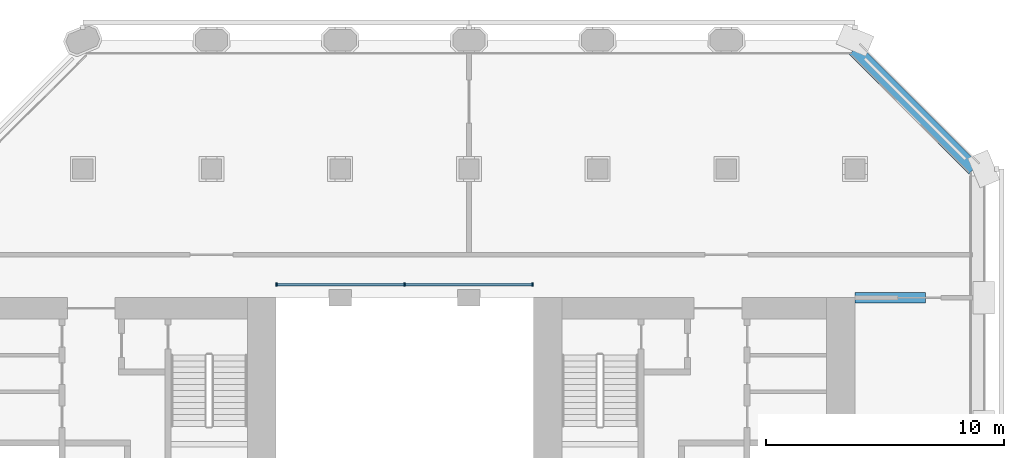
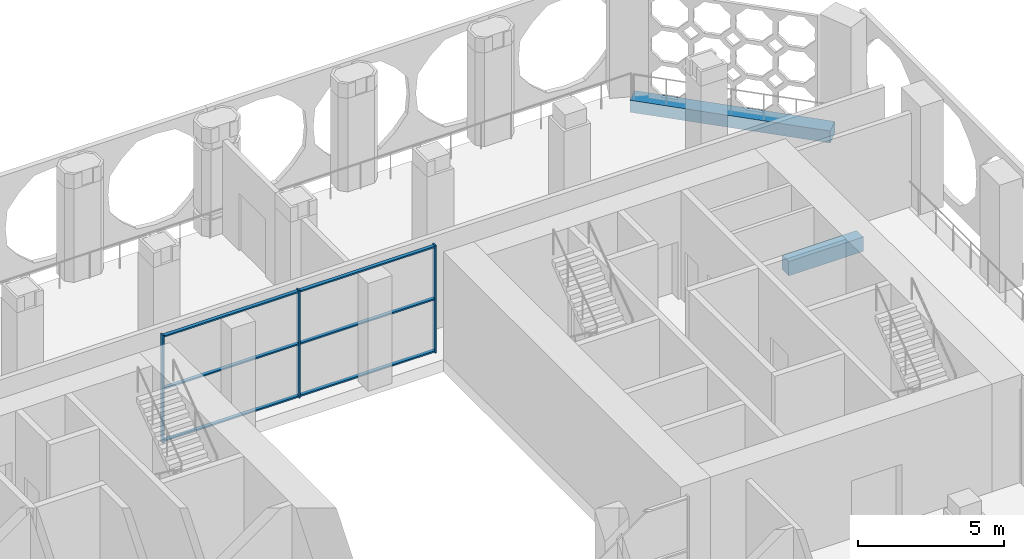
# One storey, part 4 of 14: 9 members, 2 beams, 1 element without a shape of its own.
"""IFC4 building model written with IfcOpenShell, lengths in metres."""

from ifc_helpers import new_model, si_unit, direction, frame, origin, origin_2d, place, context, subcontext, project, spatial, rectangle, extrude, material, material_profile, profile_set, type_object, element, aggregate, save


model = new_model("IFC4")

# Units and contexts
model_context = context("Model", 3, precision=1e-05, world=origin(), true_north=direction((0.0, 1.0)))
body_context = subcontext(model_context, "Body", "Model", "MODEL_VIEW")
ifc_project = project(units=[si_unit("LENGTHUNIT", "METRE"), si_unit("AREAUNIT", "SQUARE_METRE"), si_unit("VOLUMEUNIT", "CUBIC_METRE"), si_unit("PLANEANGLEUNIT", "RADIAN"), si_unit("MASSUNIT", "GRAM", prefix="KILO")], contexts=[model_context])

# Site, building, storey
site_placement = place(None, origin())
site = spatial("IfcSite", under=ifc_project, at=site_placement, CompositionType="ELEMENT")
building_placement = place(site_placement, origin())
building = spatial("IfcBuilding", under=site, at=building_placement, Name="Tabaq Tower and Sports Hall", CompositionType="ELEMENT")
storey_placement = place(building_placement, frame((0.0, 0.0, 175.89990234375)))
storey = spatial("IfcBuildingStorey", under=building, at=storey_placement, Name="L42", CompositionType="ELEMENT", Elevation=175.89990234375)

# Curtain wall, members
ifc_material_1 = material(Name="Aluminium alloy 6063-T6 framed glazing", Category="aluminium")
curtain_wall_type = type_object("IfcCurtainWallType", Name="CW1 curtain wall", PredefinedType="USERDEFINED", material=ifc_material_1)
curtain_wall_placement = place(storey_placement, origin())
curtain_wall = element("IfcCurtainWall", 1, at=curtain_wall_placement, inside=storey, type_object=curtain_wall_type, Name="Atrium glazing L42 N", ObjectType="ATRIUM ENCLOSURE", PredefinedType="USERDEFINED")
ifc_material_2 = material(Name="Aluminium alloy 6063-T6", Category="aluminium")
ifc_material_profile_1 = material_profile(ifc_material_2, rectangle(XDim=0.159912109375, YDim=0.06005859375, at=origin_2d()), Name="MULLION 160x60")
ifc_profile_set_1 = profile_set([ifc_material_profile_1], Name="Aluminium alloy 6063-T6")
member_type_1 = type_object("IfcMemberType", Name="CW1 mullion 160x60", PredefinedType="MULLION", material=ifc_profile_set_1)
member_1_placement = place(storey_placement, frame((18.929931640625, 32.949951171875, 0.0), z_axis=(0.0, 0.0, 1.0), x_axis=(0.0, 1.0, 0.0)))
member_1 = element("IfcMember", 2, at=member_1_placement, type_object=member_type_1, Name="CW1 mullion 1", PredefinedType="MULLION", context=body_context, shape_type="SweptSolid", body=[
    extrude(rectangle(XDim=0.159912109375, YDim=0.06005859375, at=origin_2d()), origin(), (0.0, 0.0, 1.0), 4.5),
])
member_2_placement = place(storey_placement, frame((24.300048828125, 32.949951171875, 0.0), z_axis=(0.0, 0.0, 1.0), x_axis=(0.0, 1.0, 0.0)))
member_2 = element("IfcMember", 3, at=member_2_placement, type_object=member_type_1, Name="CW1 mullion 2", PredefinedType="MULLION", context=body_context, shape_type="SweptSolid", body=[
    extrude(rectangle(XDim=0.159912109375, YDim=0.06005859375, at=origin_2d()), origin(), (0.0, 0.0, 1.0), 4.5),
])
member_3_placement = place(storey_placement, frame((29.669921875, 32.949951171875, 0.0), z_axis=(0.0, 0.0, 1.0), x_axis=(0.0, 1.0, 0.0)))
member_3 = element("IfcMember", 4, at=member_3_placement, type_object=member_type_1, Name="CW1 mullion 3", PredefinedType="MULLION", context=body_context, shape_type="SweptSolid", body=[
    extrude(rectangle(XDim=0.159912109375, YDim=0.06005859375, at=origin_2d()), origin(), (0.0, 0.0, 1.0), 4.5),
])
ifc_material_3 = material(Name="Aluminium alloy 6063-T6", Category="aluminium")
ifc_material_profile_2 = material_profile(ifc_material_3, rectangle(XDim=0.139892578125, YDim=0.06005859375, at=origin_2d()), Name="TRANSOM 140x60")
ifc_profile_set_2 = profile_set([ifc_material_profile_2], Name="Aluminium alloy 6063-T6")
member_type_2 = type_object("IfcMemberType", Name="CW1 transom 140x60", PredefinedType="USERDEFINED", material=ifc_profile_set_2)
member_4_placement = place(storey_placement, frame((18.9599609375, 32.949951171875, 0.070068359375), z_axis=(1.0, 0.0, 0.0), x_axis=(0.0, 1.0, 0.0)))
member_4 = element("IfcMember", 5, at=member_4_placement, type_object=member_type_2, Name="CW1 transom 1.1", ObjectType="TRANSOM", PredefinedType="USERDEFINED", context=body_context, shape_type="SweptSolid", body=[
    extrude(rectangle(XDim=0.139892578125, YDim=0.06005859375, at=origin_2d()), origin(), (0.0, 0.0, 1.0), 5.31005859375),
])
member_5_placement = place(storey_placement, frame((18.9599609375, 32.949951171875, 2.25), z_axis=(1.0, 0.0, 0.0), x_axis=(0.0, 1.0, 0.0)))
member_5 = element("IfcMember", 6, at=member_5_placement, type_object=member_type_2, Name="CW1 transom 1.2", ObjectType="TRANSOM", PredefinedType="USERDEFINED", context=body_context, shape_type="SweptSolid", body=[
    extrude(rectangle(XDim=0.139892578125, YDim=0.06005859375, at=origin_2d()), origin(), (0.0, 0.0, 1.0), 5.31005859375),
])
member_6_placement = place(storey_placement, frame((18.9599609375, 32.949951171875, 4.43017578125), z_axis=(1.0, 0.0, 0.0), x_axis=(0.0, 1.0, 0.0)))
member_6 = element("IfcMember", 7, at=member_6_placement, type_object=member_type_2, Name="CW1 transom 1.3", ObjectType="TRANSOM", PredefinedType="USERDEFINED", context=body_context, shape_type="SweptSolid", body=[
    extrude(rectangle(XDim=0.139892578125, YDim=0.06005859375, at=origin_2d()), origin(), (0.0, 0.0, 1.0), 5.31005859375),
])
member_7_placement = place(storey_placement, frame((24.330078125, 32.949951171875, 0.070068359375), z_axis=(1.0, 0.0, 0.0), x_axis=(0.0, 1.0, 0.0)))
member_7 = element("IfcMember", 8, at=member_7_placement, type_object=member_type_2, Name="CW1 transom 2.1", ObjectType="TRANSOM", PredefinedType="USERDEFINED", context=body_context, shape_type="SweptSolid", body=[
    extrude(rectangle(XDim=0.139892578125, YDim=0.06005859375, at=origin_2d()), origin(), (0.0, 0.0, 1.0), 5.309814453125),
])
member_8_placement = place(storey_placement, frame((24.330078125, 32.949951171875, 2.25), z_axis=(1.0, 0.0, 0.0), x_axis=(0.0, 1.0, 0.0)))
member_8 = element("IfcMember", 9, at=member_8_placement, type_object=member_type_2, Name="CW1 transom 2.2", ObjectType="TRANSOM", PredefinedType="USERDEFINED", context=body_context, shape_type="SweptSolid", body=[
    extrude(rectangle(XDim=0.139892578125, YDim=0.06005859375, at=origin_2d()), origin(), (0.0, 0.0, 1.0), 5.309814453125),
])
member_9_placement = place(storey_placement, frame((24.330078125, 32.949951171875, 4.43017578125), z_axis=(1.0, 0.0, 0.0), x_axis=(0.0, 1.0, 0.0)))
member_9 = element("IfcMember", 10, at=member_9_placement, type_object=member_type_2, Name="CW1 transom 2.3", ObjectType="TRANSOM", PredefinedType="USERDEFINED", context=body_context, shape_type="SweptSolid", body=[
    extrude(rectangle(XDim=0.139892578125, YDim=0.06005859375, at=origin_2d()), origin(), (0.0, 0.0, 1.0), 5.309814453125),
])
aggregate(curtain_wall, [member_1, member_2, member_3, member_4, member_5, member_6, member_7, member_8, member_9])

# Beams
ifc_material_4 = material(Name="Concrete C40/50", Category="concrete")
ifc_material_profile_3 = material_profile(ifc_material_4, rectangle(XDim=0.449951171875, YDim=0.60009765625, at=origin_2d()), Name="CB 450x600")
ifc_profile_set_3 = profile_set([ifc_material_profile_3], Name="Concrete C40/50")
beam_type_1 = type_object("IfcBeamType", Name="PT CANTILEVER BEAM CB 450x600 C40/50", PredefinedType="BEAM", material=ifc_profile_set_3)
beam_1_placement = place(storey_placement, frame((46.14990234375, 32.39990234375, -0.7998046875), z_axis=(-1.0, 0.0, 0.0), x_axis=(0.0, -1.0, 0.0)))
element("IfcBeam", 11, at=beam_1_placement, inside=storey, type_object=beam_type_1, Name="Cantilever Beam L42 E6 span 1", PredefinedType="BEAM", context=body_context, shape_type="SweptSolid", body=[
    extrude(rectangle(XDim=0.449951171875, YDim=0.60009765625, at=origin_2d()), origin(), (0.0, 0.0, 1.0), 2.949951171875),
])
ifc_material_5 = material(Name="Concrete C40/50", Category="concrete")
ifc_material_profile_4 = material_profile(ifc_material_5, rectangle(XDim=0.60009765625, YDim=0.5, at=origin_2d()), Name="EB 600x500")
ifc_profile_set_4 = profile_set([ifc_material_profile_4], Name="Concrete C40/50")
beam_type_2 = type_object("IfcBeamType", Name="PT EDGE BEAM EB 600x500 C40/50", PredefinedType="SPANDREL", material=ifc_profile_set_4)
beam_2_placement = place(storey_placement, frame((48.1767578125, 37.799072265625, -0.25), z_axis=(-0.707124002701, 0.707089559252, 0.0), x_axis=(-0.707089559252, -0.707124002701, 0.0)))
element("IfcBeam", 12, at=beam_2_placement, inside=storey, type_object=beam_type_2, Name="Edge Beam L42 4", PredefinedType="SPANDREL", context=body_context, shape_type="SweptSolid", body=[
    extrude(rectangle(XDim=0.60009765625, YDim=0.5, at=origin_2d()), origin(), (0.0, 0.0, 1.0), 7.088134765625),
])

save(model, "model.ifc")
